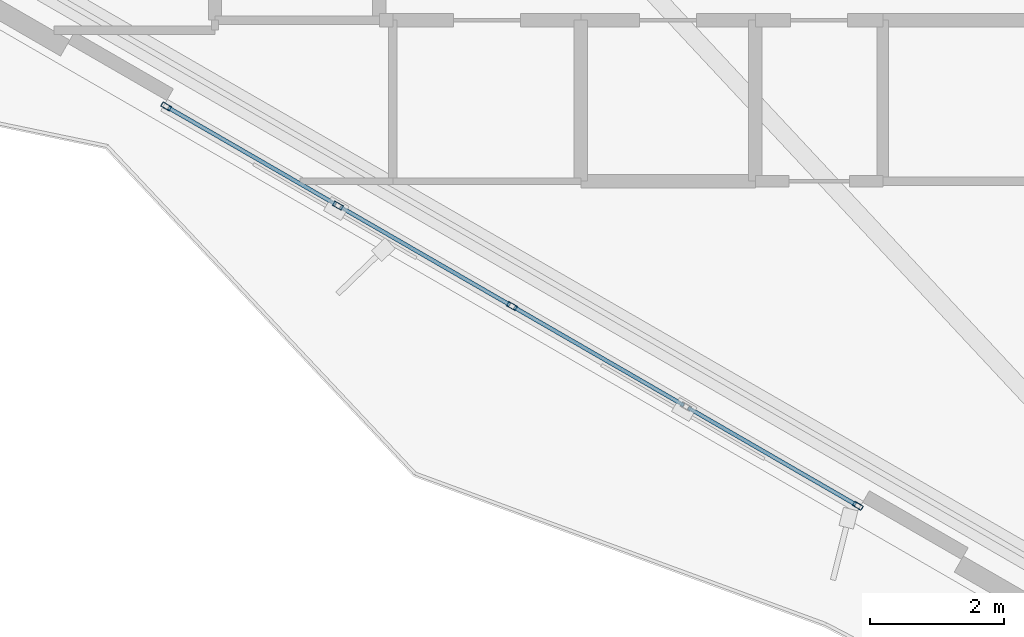
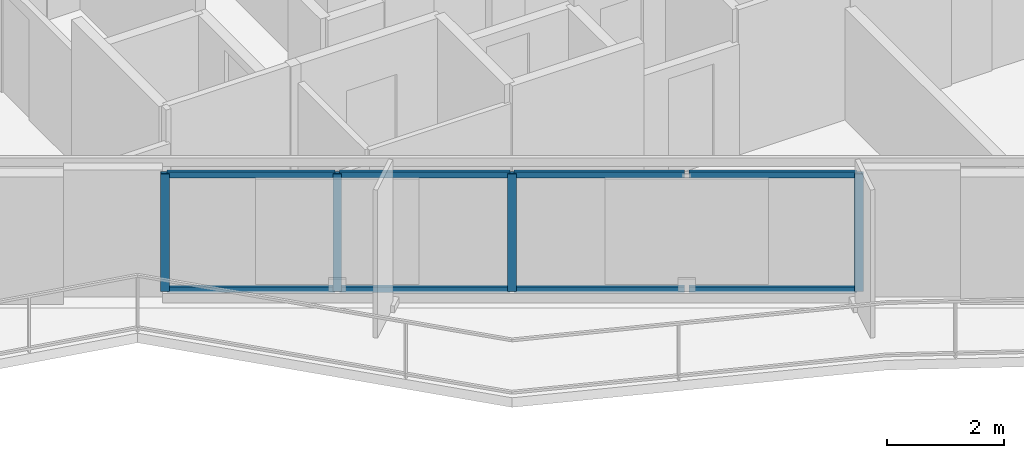
# One storey, part 2 of 19: 12 members, 1 element without a shape of its own.
"""IFC4 building model written with IfcOpenShell, lengths in metres."""

import ifcopenshell
import ifcopenshell.guid

model = None  # the IFC model being written
_history = None  # IfcOwnerHistory: only IFC2X3 demands one
_inside = {}  # id of a spatial element -> (the spatial element, [elements in it])
_under = {}  # id of a project, library or spatial element -> (it, [spatial elements below it])
_declared = {}  # id of a project -> (the project, [libraries it declares])
_typed = {}  # id of a type object -> (the type object, [elements of that type])
_made_of = {}  # id of a material, layer set ... -> (it, [elements and type objects made of it])


def new_model(schema):
    """Start an empty IFC model of exactly this schema.

    Asked for "IFC4X3", IfcOpenShell would pick the latest addendum, in which some entities
    have other attributes; the version numbers below select the first issue.
    IFC2X3 requires an IfcOwnerHistory on every rooted entity: one is made here for all.
    """
    global model, _history
    if schema == "IFC4X3":
        model = ifcopenshell.file(schema_version=(4, 3, 0, 0))
    else:
        model = ifcopenshell.file(schema=schema)
    _inside.clear()
    _under.clear()
    _declared.clear()
    _typed.clear()
    _made_of.clear()
    _history = None
    if model.schema == "IFC2X3":
        org = make("IfcOrganization", Name="unknown")
        user = make(
            "IfcPersonAndOrganization",
            ThePerson=make("IfcPerson", FamilyName="unknown"),
            TheOrganization=org,
        )
        app = make(
            "IfcApplication",
            ApplicationDeveloper=org,
            Version="unknown",
            ApplicationFullName="unknown",
            ApplicationIdentifier="unknown",
        )
        _history = make(
            "IfcOwnerHistory",
            OwningUser=user,
            OwningApplication=app,
            ChangeAction="ADDED",
            CreationDate=0,
        )
    return model


def make(cls, **values):
    """One entity of the class cls with the attributes given. An attribute that is None is left unset."""
    return model.create_entity(
        cls, **{name: value for name, value in values.items() if value is not None}
    )


def rooted(cls, **values):
    """An entity with a GlobalId (a new one), such as an element, a storey or a relation."""
    return make(cls, GlobalId=ifcopenshell.guid.new(), OwnerHistory=_history, **values)


def si_unit(unit_type, name, prefix=None):
    """IfcSIUnit, for example si_unit("LENGTHUNIT", "METRE", prefix="MILLI")."""
    return make("IfcSIUnit", UnitType=unit_type, Prefix=prefix, Name=name)


def assignment(units):
    """IfcUnitAssignment: the units of a project."""
    return None if units is None else make("IfcUnitAssignment", Units=units)


def point(xyz):
    """IfcCartesianPoint."""
    return None if xyz is None else make("IfcCartesianPoint", Coordinates=xyz)


def direction(xyz):
    """IfcDirection."""
    return None if xyz is None else make("IfcDirection", DirectionRatios=xyz)


def frame(location, z_axis=None, x_axis=None):
    """IfcAxis2Placement3D, a coordinate frame: its origin and axes. An axis left out is left unset."""
    return make(
        "IfcAxis2Placement3D",
        Location=point(location),
        Axis=direction(z_axis),
        RefDirection=direction(x_axis),
    )


def frame_2d(location, x_axis=None):
    """IfcAxis2Placement2D, a coordinate frame in the plane: its origin and x axis."""
    return make(
        "IfcAxis2Placement2D", Location=point(location), RefDirection=direction(x_axis)
    )


def origin():
    """The frame at (0, 0, 0) with its axes left unset."""
    return frame((0.0, 0.0, 0.0))


def origin_2d():
    """The frame at (0, 0) in the plane with its x axis left unset."""
    return frame_2d((0.0, 0.0))


def place(relative_to, where):
    """IfcLocalPlacement: puts the frame where relative to a parent placement (None: the world)."""
    return make(
        "IfcLocalPlacement", PlacementRelTo=relative_to, RelativePlacement=where
    )


def context(
    kind, dimensions, precision=None, world=None, true_north=None, identifier=None
):
    """IfcGeometricRepresentationContext, for example the 3D "Model" context."""
    return make(
        "IfcGeometricRepresentationContext",
        ContextIdentifier=identifier,
        ContextType=kind,
        CoordinateSpaceDimension=dimensions,
        Precision=precision,
        WorldCoordinateSystem=world,
        TrueNorth=true_north,
    )


def subcontext(parent, identifier, kind, view, scale=None):
    """IfcGeometricRepresentationSubContext, for example "Body" below "Model"."""
    return make(
        "IfcGeometricRepresentationSubContext",
        ContextIdentifier=identifier,
        ContextType=kind,
        ParentContext=parent,
        TargetScale=scale,
        TargetView=view,
    )


def project(units=None, contexts=None):
    """IfcProject with its units and contexts."""
    return rooted(
        "IfcProject",
        Name="project",
        RepresentationContexts=contexts,
        UnitsInContext=assignment(units),
    )


def spatial(cls, under=None, at=None, **own):
    """A site, building, storey or space (cls), placed at a placement, below another one or the project."""
    s = rooted(cls, ObjectPlacement=at, **own)
    if under is not None:
        _under.setdefault(under.id(), (under, []))[1].append(s)
    return s


def profile(cls, at=None, kind="AREA", **sizes):
    """A parametric profile (cls). Its sizes go by their IFC names, for example OverallWidth=200.0."""
    return make(cls, ProfileType=kind, Position=at, **sizes)


def hollow_rectangle(**sizes):
    """IfcRectangleHollowProfileDef."""
    return profile("IfcRectangleHollowProfileDef", **sizes)


def extrude(swept, where, along, depth):
    """IfcExtrudedAreaSolid: the profile swept, set in the frame where, extruded along a direction by depth."""
    return make(
        "IfcExtrudedAreaSolid",
        SweptArea=swept,
        Position=where,
        ExtrudedDirection=direction(along),
        Depth=depth,
    )


def shape(context_of_items, identifier, shape_type, items):
    """IfcShapeRepresentation: the items that make up one representation, for example the "Body"."""
    return make(
        "IfcShapeRepresentation",
        ContextOfItems=context_of_items,
        RepresentationIdentifier=identifier,
        RepresentationType=shape_type,
        Items=items,
    )


def material(Name=None, Category=None):
    """IfcMaterial."""
    return make("IfcMaterial", Name=Name, Category=Category)


def layer(
    of_material, thickness, ventilated=None, Name=None, Category=None, Priority=None
):
    """IfcMaterialLayer: one layer of a wall or slab, of a material (None: an air gap)."""
    return make(
        "IfcMaterialLayer",
        Material=of_material,
        LayerThickness=thickness,
        IsVentilated=ventilated,
        Name=Name,
        Category=Category,
        Priority=Priority,
    )


def layer_set(layers, Name=None):
    """IfcMaterialLayerSet."""
    return make("IfcMaterialLayerSet", MaterialLayers=layers, LayerSetName=Name)


def material_profile(
    of_material, cross_section, Name=None, Category=None, Priority=None
):
    """IfcMaterialProfile: a cross section and its material."""
    return make(
        "IfcMaterialProfile",
        Name=Name,
        Material=of_material,
        Profile=cross_section,
        Priority=Priority,
        Category=Category,
    )


def profile_set(profiles, Name=None, composite=None):
    """IfcMaterialProfileSet."""
    return make(
        "IfcMaterialProfileSet",
        Name=Name,
        MaterialProfiles=profiles,
        CompositeProfile=composite,
    )


def made_of(thing, what):
    """Note that an element or type object is made of a material, layer set ...; save() writes the relation."""
    if what is not None:
        _made_of.setdefault(what.id(), (what, []))[1].append(thing)
    return thing


def type_object(cls, material=None, **own):
    """A type object (cls), such as IfcWallType, which elements share."""
    return made_of(rooted(cls, **own), material)


def element(
    cls,
    number,
    at=None,
    inside=None,
    cuts=None,
    type_object=None,
    material=None,
    context=None,
    identifier="Body",
    shape_type=None,
    held_by="IfcProductDefinitionShape",
    body=None,
    shapes=None,
    **own,
):
    """One element of the class cls, such as IfcWall. Its Tag is "e" and its number.

    at: its placement. inside: the storey or other place that contains it. cuts: it is an
    opening in that element (IfcRelVoidsElement). A single representation is given by context,
    identifier, shape_type and body (its items); several are given by shapes. held_by: the class
    of the entity that holds the representations. save() writes the other relations.
    """
    e = rooted(cls, Tag="e%d" % number, ObjectPlacement=at, **own)
    if body is not None:
        shapes = [shape(context, identifier, shape_type, body)]
    if shapes is not None:
        e.Representation = make(held_by, Representations=shapes)
    if inside is not None:
        _inside.setdefault(inside.id(), (inside, []))[1].append(e)
    if cuts is not None:
        rooted(
            "IfcRelVoidsElement", RelatingBuildingElement=cuts, RelatedOpeningElement=e
        )
    if type_object is not None:
        _typed.setdefault(type_object.id(), (type_object, []))[1].append(e)
    return made_of(e, material)


def aggregate(whole, parts):
    """IfcRelAggregates: a whole, such as a stair, and the parts it consists of."""
    return rooted("IfcRelAggregates", RelatingObject=whole, RelatedObjects=parts)


def save(model, path):
    """Write the relations noted so far, then the file.

    IfcRelAggregates (storeys below a building ...), IfcRelContainedInSpatialStructure (elements
    in a storey), IfcRelDefinesByType, IfcRelAssociatesMaterial and IfcRelDeclares: one each for
    every whole, place, type object, material and project.
    """
    for whole, parts in _under.values():
        aggregate(whole, parts)
    for where, things in _inside.values():
        rooted(
            "IfcRelContainedInSpatialStructure",
            RelatedElements=things,
            RelatingStructure=where,
        )
    for kind, things in _typed.values():
        rooted("IfcRelDefinesByType", RelatedObjects=things, RelatingType=kind)
    for what, things in _made_of.values():
        rooted("IfcRelAssociatesMaterial", RelatedObjects=things, RelatingMaterial=what)
    for by, libraries in _declared.values():
        rooted("IfcRelDeclares", RelatingContext=by, RelatedDefinitions=libraries)
    model.write(path)


model = new_model("IFC4")

# Units and contexts
model_context = context("Model", 3, precision=1e-05, world=origin(), true_north=direction((0.0, 1.0)))
body_context = subcontext(model_context, "Body", "Model", "MODEL_VIEW")
ifc_project = project(units=[si_unit("LENGTHUNIT", "METRE"), si_unit("AREAUNIT", "SQUARE_METRE"), si_unit("VOLUMEUNIT", "CUBIC_METRE"), si_unit("PLANEANGLEUNIT", "RADIAN"), si_unit("MASSUNIT", "GRAM", prefix="KILO")], contexts=[model_context])

# Site, building, storey
site_placement = place(None, origin())
site = spatial("IfcSite", under=ifc_project, at=site_placement, CompositionType="ELEMENT")
building_placement = place(site_placement, origin())
building = spatial("IfcBuilding", under=site, at=building_placement, Name="Mersakhor Tower and Convention Hall", CompositionType="ELEMENT")
storey_placement = place(building_placement, frame((0.0, 0.0, 45.60009765625)))
storey = spatial("IfcBuildingStorey", under=building, at=storey_placement, Name="L12", CompositionType="ELEMENT", Elevation=45.60009765625)

# Curtain wall, members
ifc_material_1 = material(Name="Dark solar low-E aluminium curtain wall", Category="aluminium")
ifc_layer = layer(ifc_material_1, 0.159912109375)
ifc_layer_set = layer_set([ifc_layer], Name="Dark solar low-E aluminium curtain wall")
curtain_wall_type = type_object("IfcCurtainWallType", Name="CW-SYS-01", PredefinedType="USERDEFINED", material=ifc_layer_set)
curtain_wall_placement = place(storey_placement, origin())
curtain_wall = element("IfcCurtainWall", 1, at=curtain_wall_placement, inside=storey, type_object=curtain_wall_type, Name="L12 Dark-Glass Curtain Wall F3-B2", ObjectType="CURTAIN WALL", PredefinedType="USERDEFINED")
ifc_material_2 = material(Name="Anodised aluminium EN AW-6063 T6", Category="aluminium")
ifc_material_profile_1 = material_profile(ifc_material_2, hollow_rectangle(XDim=0.074951171875, YDim=0.14990234375, WallThickness=0.00634765625, at=origin_2d()), Name="RHS 150x75x6.3")
ifc_profile_set_1 = profile_set([ifc_material_profile_1], Name="Anodised aluminium EN AW-6063 T6")
member_type_1 = type_object("IfcMemberType", Name="CWM-150x75", PredefinedType="MULLION", material=ifc_profile_set_1)
member_1_placement = place(storey_placement, frame((26.72705078125, 10.9150390625, 0.199951171875), z_axis=(0.0, 0.0, 1.0), x_axis=(-0.50000344889, -0.866023412558, 0.0)))
member_1 = element("IfcMember", 2, at=member_1_placement, type_object=member_type_1, Name="CW-01 mullion 1", PredefinedType="MULLION", context=body_context, shape_type="SweptSolid", body=[
    extrude(hollow_rectangle(XDim=0.074951171875, YDim=0.14990234375, WallThickness=0.00634765625, at=origin_2d()), origin(), (0.0, 0.0, 1.0), 2.4599609375),
])
member_2_placement = place(storey_placement, frame((21.574951171875, 13.889404296875, 0.199951171875), z_axis=(0.0, 0.0, 1.0), x_axis=(-0.50000344889, -0.866023412558, 0.0)))
member_2 = element("IfcMember", 3, at=member_2_placement, type_object=member_type_1, Name="CW-01 mullion 3", PredefinedType="MULLION", context=body_context, shape_type="SweptSolid", body=[
    extrude(hollow_rectangle(XDim=0.074951171875, YDim=0.14990234375, WallThickness=0.00634765625, at=origin_2d()), origin(), (0.0, 0.0, 1.0), 2.4599609375),
])
member_3_placement = place(storey_placement, frame((18.982666015625, 15.38623046875, 0.199951171875), z_axis=(0.0, 0.0, 1.0), x_axis=(-0.50000344889, -0.866023412558, 0.0)))
member_3 = element("IfcMember", 4, at=member_3_placement, type_object=member_type_1, Name="CW-01 mullion 4", PredefinedType="MULLION", context=body_context, shape_type="SweptSolid", body=[
    extrude(hollow_rectangle(XDim=0.074951171875, YDim=0.14990234375, WallThickness=0.00634765625, at=origin_2d()), origin(), (0.0, 0.0, 1.0), 2.4599609375),
])
member_4_placement = place(storey_placement, frame((16.423095703125, 16.864013671875, 0.199951171875), z_axis=(0.0, 0.0, 1.0), x_axis=(-0.50000344889, -0.866023412558, 0.0)))
member_4 = element("IfcMember", 5, at=member_4_placement, type_object=member_type_1, Name="CW-01 mullion 5", PredefinedType="MULLION", context=body_context, shape_type="SweptSolid", body=[
    extrude(hollow_rectangle(XDim=0.074951171875, YDim=0.14990234375, WallThickness=0.00634765625, at=origin_2d()), origin(), (0.0, 0.0, 1.0), 2.4599609375),
])
ifc_material_3 = material(Name="Anodised aluminium EN AW-6063 T6", Category="aluminium")
ifc_material_profile_2 = material_profile(ifc_material_3, hollow_rectangle(XDim=0.06005859375, YDim=0.1201171875, WallThickness=0.0048828125, at=origin_2d()), Name="RHS 120x60x5")
ifc_profile_set_2 = profile_set([ifc_material_profile_2], Name="Anodised aluminium EN AW-6063 T6")
member_type_2 = type_object("IfcMemberType", Name="CWT-120x60", PredefinedType="USERDEFINED", material=ifc_profile_set_2)
member_5_placement = place(storey_placement, frame((26.694580078125, 10.93359375, 0.22998046875), z_axis=(-0.866023290103, 0.500003660985, 0.0), x_axis=(-0.500003660985, -0.866023290103, 0.0)))
member_5 = element("IfcMember", 6, at=member_5_placement, type_object=member_type_2, Name="CW-01 transom 1.1", ObjectType="TRANSOM", PredefinedType="USERDEFINED", context=body_context, shape_type="SweptSolid", body=[
    extrude(hollow_rectangle(XDim=0.06005859375, YDim=0.1201171875, WallThickness=0.0048828125, at=origin_2d()), origin(), (0.0, 0.0, 1.0), 2.880859375),
])
member_6_placement = place(storey_placement, frame((26.694580078125, 10.93359375, 2.6298828125), z_axis=(-0.866023290103, 0.500003660985, 0.0), x_axis=(-0.500003660985, -0.866023290103, 0.0)))
member_6 = element("IfcMember", 7, at=member_6_placement, type_object=member_type_2, Name="CW-01 transom 1.2", ObjectType="TRANSOM", PredefinedType="USERDEFINED", context=body_context, shape_type="SweptSolid", body=[
    extrude(hollow_rectangle(XDim=0.06005859375, YDim=0.1201171875, WallThickness=0.0048828125, at=origin_2d()), origin(), (0.0, 0.0, 1.0), 2.880859375),
])
member_7_placement = place(storey_placement, frame((24.134765625, 12.41162109375, 0.22998046875), z_axis=(-0.866015622527, 0.500016941252, 0.0), x_axis=(-0.500016941252, -0.866015622527, 0.0)))
member_7 = element("IfcMember", 8, at=member_7_placement, type_object=member_type_2, Name="CW-01 transom 2.1", ObjectType="TRANSOM", PredefinedType="USERDEFINED", context=body_context, shape_type="SweptSolid", body=[
    extrude(hollow_rectangle(XDim=0.06005859375, YDim=0.1201171875, WallThickness=0.0048828125, at=origin_2d()), origin(), (0.0, 0.0, 1.0), 2.91845703125),
])
member_8_placement = place(storey_placement, frame((24.134765625, 12.41162109375, 2.6298828125), z_axis=(-0.866015622527, 0.500016941252, 0.0), x_axis=(-0.500016941252, -0.866015622527, 0.0)))
member_8 = element("IfcMember", 9, at=member_8_placement, type_object=member_type_2, Name="CW-01 transom 2.2", ObjectType="TRANSOM", PredefinedType="USERDEFINED", context=body_context, shape_type="SweptSolid", body=[
    extrude(hollow_rectangle(XDim=0.06005859375, YDim=0.1201171875, WallThickness=0.0048828125, at=origin_2d()), origin(), (0.0, 0.0, 1.0), 2.91845703125),
])
member_9_placement = place(storey_placement, frame((21.54248046875, 13.908203125, 0.22998046875), z_axis=(-0.866015622527, 0.500016941252, 0.0), x_axis=(-0.500016941252, -0.866015622527, 0.0)))
member_9 = element("IfcMember", 10, at=member_9_placement, type_object=member_type_2, Name="CW-01 transom 3.1", ObjectType="TRANSOM", PredefinedType="USERDEFINED", context=body_context, shape_type="SweptSolid", body=[
    extrude(hollow_rectangle(XDim=0.06005859375, YDim=0.1201171875, WallThickness=0.0048828125, at=origin_2d()), origin(), (0.0, 0.0, 1.0), 2.91845703125),
])
member_10_placement = place(storey_placement, frame((21.54248046875, 13.908203125, 2.6298828125), z_axis=(-0.866015622527, 0.500016941252, 0.0), x_axis=(-0.500016941252, -0.866015622527, 0.0)))
member_10 = element("IfcMember", 11, at=member_10_placement, type_object=member_type_2, Name="CW-01 transom 3.2", ObjectType="TRANSOM", PredefinedType="USERDEFINED", context=body_context, shape_type="SweptSolid", body=[
    extrude(hollow_rectangle(XDim=0.06005859375, YDim=0.1201171875, WallThickness=0.0048828125, at=origin_2d()), origin(), (0.0, 0.0, 1.0), 2.91845703125),
])
member_11_placement = place(storey_placement, frame((18.9501953125, 15.40478515625, 0.22998046875), z_axis=(-0.866002100865, 0.500040359669, 0.0), x_axis=(-0.500040359669, -0.866002100865, 0.0)))
member_11 = element("IfcMember", 12, at=member_11_placement, type_object=member_type_2, Name="CW-01 transom 4.1", ObjectType="TRANSOM", PredefinedType="USERDEFINED", context=body_context, shape_type="SweptSolid", body=[
    extrude(hollow_rectangle(XDim=0.06005859375, YDim=0.1201171875, WallThickness=0.0048828125, at=origin_2d()), origin(), (0.0, 0.0, 1.0), 2.880615234375),
])
member_12_placement = place(storey_placement, frame((18.9501953125, 15.40478515625, 2.6298828125), z_axis=(-0.866002100865, 0.500040359669, 0.0), x_axis=(-0.500040359669, -0.866002100865, 0.0)))
member_12 = element("IfcMember", 13, at=member_12_placement, type_object=member_type_2, Name="CW-01 transom 4.2", ObjectType="TRANSOM", PredefinedType="USERDEFINED", context=body_context, shape_type="SweptSolid", body=[
    extrude(hollow_rectangle(XDim=0.06005859375, YDim=0.1201171875, WallThickness=0.0048828125, at=origin_2d()), origin(), (0.0, 0.0, 1.0), 2.880615234375),
])
aggregate(curtain_wall, [member_1, member_2, member_3, member_4, member_5, member_6, member_7, member_8, member_9, member_10, member_11, member_12])

save(model, "model.ifc")
